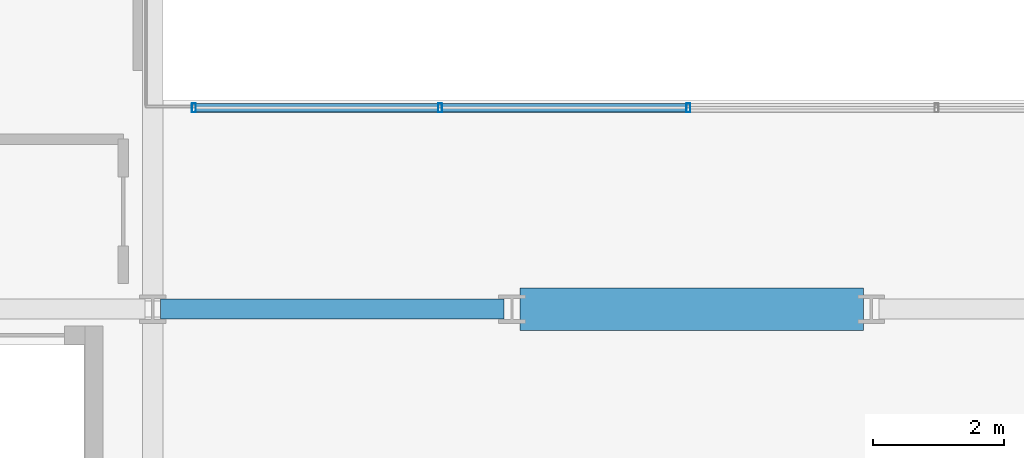
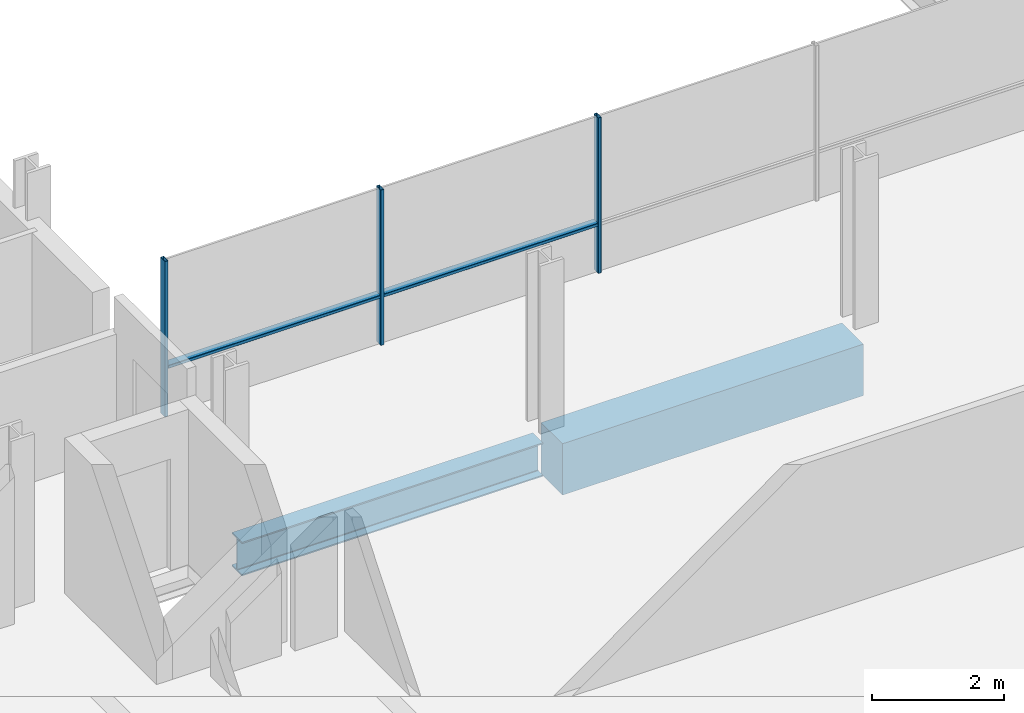
# One storey, part 4 of 38: 5 members, 2 beams, 1 element without a shape of its own.
"""IFC4 building model written with IfcOpenShell, lengths in metres."""

from ifc_helpers import new_model, si_unit, direction, frame, origin, origin_2d, place, context, subcontext, project, spatial, rectangle, hollow_rectangle, i_section, extrude, material, layer, layer_set, material_profile, profile_set, type_object, element, aggregate, save


model = new_model("IFC4")

# Units and contexts
model_context = context("Model", 3, precision=1e-05, world=origin(), true_north=direction((0.0, 1.0)))
body_context = subcontext(model_context, "Body", "Model", "MODEL_VIEW")
ifc_project = project(units=[si_unit("LENGTHUNIT", "METRE"), si_unit("AREAUNIT", "SQUARE_METRE"), si_unit("VOLUMEUNIT", "CUBIC_METRE"), si_unit("PLANEANGLEUNIT", "RADIAN"), si_unit("MASSUNIT", "GRAM", prefix="KILO")], contexts=[model_context])

# Site, building, storey
site_placement = place(None, origin())
site = spatial("IfcSite", under=ifc_project, at=site_placement, CompositionType="ELEMENT")
building_placement = place(site_placement, origin())
building = spatial("IfcBuilding", under=site, at=building_placement, Name="Brevholm Reach", CompositionType="ELEMENT")
storey_placement = place(building_placement, frame((0.0, 0.0, 71.39990234375)))
storey = spatial("IfcBuildingStorey", under=building, at=storey_placement, Name="L20", CompositionType="ELEMENT", Elevation=71.39990234375)

# Beams
ifc_material_1 = material(Name="Concrete C60/75", Category="concrete")
ifc_material_profile_1 = material_profile(ifc_material_1, rectangle(XDim=0.64990234375, YDim=0.949951171875, at=origin_2d()), Name="RC 650x950")
ifc_profile_set_1 = profile_set([ifc_material_profile_1], Name="Concrete C60/75")
beam_type_1 = type_object("IfcBeamType", Name="BM-CB650", PredefinedType="LINTEL", material=ifc_profile_set_1)
beam_1_placement = place(storey_placement, frame((27.3701171875, 10.0, -0.704833984375), z_axis=(1.0, 0.0, 0.0), x_axis=(0.0, 1.0, 0.0)))
element("IfcBeam", 1, at=beam_1_placement, inside=storey, type_object=beam_type_1, Name="L20 CB-01 Framing Beam", PredefinedType="LINTEL", context=body_context, shape_type="SweptSolid", body=[
    extrude(rectangle(XDim=0.64990234375, YDim=0.949951171875, at=origin_2d()), origin(), (0.0, 0.0, 1.0), 5.259765625),
])
ifc_material_2 = material(Name="Structural Steel S355J2", Category="steel")
ifc_material_profile_2 = material_profile(ifc_material_2, i_section(OverallWidth=0.30712890625, OverallDepth=0.6201171875, WebThickness=0.01416015625, FlangeThickness=0.023681640625, FilletRadius=0.0166015625, at=origin_2d()), Name="UKB 610x305x179")
ifc_profile_set_2 = profile_set([ifc_material_profile_2], Name="Structural Steel S355J2")
beam_type_2 = type_object("IfcBeamType", Name="BM-UKB610H", PredefinedType="USERDEFINED", material=ifc_profile_set_2)
beam_2_placement = place(storey_placement, frame((21.8701171875, 10.0, -0.5400390625), z_axis=(1.0, 0.0, 0.0), x_axis=(0.0, 1.0, 0.0)))
element("IfcBeam", 2, at=beam_2_placement, inside=storey, type_object=beam_type_2, Name="L20 G-06 Framing Beam", ObjectType="GIRDER", PredefinedType="USERDEFINED", context=body_context, shape_type="SweptSolid", body=[
    extrude(i_section(OverallWidth=0.30712890625, OverallDepth=0.6201171875, WebThickness=0.01416015625, FlangeThickness=0.023681640625, FilletRadius=0.0166015625, at=origin_2d()), origin(), (0.0, 0.0, 1.0), 5.259765625),
])

# Curtain wall, members
ifc_material_3 = material(Name="Dark Anodised Aluminium 6063-T6 and Solar-Control Glass", Category="aluminium")
ifc_layer = layer(ifc_material_3, 0.139892578125)
ifc_layer_set = layer_set([ifc_layer], Name="Dark Anodised Aluminium 6063-T6 and Solar-Control Glass")
curtain_wall_type = type_object("IfcCurtainWallType", Name="CW-02", PredefinedType="NOTDEFINED", material=ifc_layer_set)
curtain_wall_placement = place(storey_placement, origin())
curtain_wall = element("IfcCurtainWall", 3, at=curtain_wall_placement, inside=storey, type_object=curtain_wall_type, Name="L20 Curtain Wall CW-02", PredefinedType="NOTDEFINED")
ifc_material_4 = material(Name="Dark Anodised Aluminium 6063-T6", Category="aluminium")
ifc_material_profile_3 = material_profile(ifc_material_4, hollow_rectangle(XDim=0.06005859375, YDim=0.139892578125, WallThickness=0.0048828125, InnerFilletRadius=0.0048828125, OuterFilletRadius=0.010009765625, at=origin_2d()), Name="RHS 140x60x5")
ifc_profile_set_3 = profile_set([ifc_material_profile_3], Name="Dark Anodised Aluminium 6063-T6")
member_type_1 = type_object("IfcMemberType", Name="CWM-140", PredefinedType="MULLION", material=ifc_profile_set_3)
member_1_placement = place(storey_placement, frame((22.3798828125, 13.080078125, 0.0), z_axis=(0.0, 0.0, 1.0), x_axis=(1.0, 0.0, 0.0)))
member_1 = element("IfcMember", 4, at=member_1_placement, type_object=member_type_1, Name="CM-140 Mullion 1", PredefinedType="MULLION", context=body_context, shape_type="SweptSolid", body=[
    extrude(hollow_rectangle(XDim=0.06005859375, YDim=0.139892578125, WallThickness=0.0048828125, InnerFilletRadius=0.0048828125, OuterFilletRadius=0.010009765625, at=origin_2d()), origin(), (0.0, 0.0, 1.0), 2.8701171875),
])
member_2_placement = place(storey_placement, frame((26.14990234375, 13.080078125, 0.0), z_axis=(0.0, 0.0, 1.0), x_axis=(1.0, 0.0, 0.0)))
member_2 = element("IfcMember", 5, at=member_2_placement, type_object=member_type_1, Name="CM-140 Mullion 2", PredefinedType="MULLION", context=body_context, shape_type="SweptSolid", body=[
    extrude(hollow_rectangle(XDim=0.06005859375, YDim=0.139892578125, WallThickness=0.0048828125, InnerFilletRadius=0.0048828125, OuterFilletRadius=0.010009765625, at=origin_2d()), origin(), (0.0, 0.0, 1.0), 2.8701171875),
])
member_3_placement = place(storey_placement, frame((29.949951171875, 13.080078125, 0.0), z_axis=(0.0, 0.0, 1.0), x_axis=(1.0, 0.0, 0.0)))
member_3 = element("IfcMember", 6, at=member_3_placement, type_object=member_type_1, Name="CM-140 Mullion 3", PredefinedType="MULLION", context=body_context, shape_type="SweptSolid", body=[
    extrude(hollow_rectangle(XDim=0.06005859375, YDim=0.139892578125, WallThickness=0.0048828125, InnerFilletRadius=0.0048828125, OuterFilletRadius=0.010009765625, at=origin_2d()), origin(), (0.0, 0.0, 1.0), 2.8701171875),
])
ifc_material_5 = material(Name="Dark Anodised Aluminium 6063-T6", Category="aluminium")
ifc_material_profile_4 = material_profile(ifc_material_5, hollow_rectangle(XDim=0.06005859375, YDim=0.139892578125, WallThickness=0.0048828125, InnerFilletRadius=0.0048828125, OuterFilletRadius=0.010009765625, at=origin_2d()), Name="RHS 140x60x5")
ifc_profile_set_4 = profile_set([ifc_material_profile_4], Name="Dark Anodised Aluminium 6063-T6")
member_type_2 = type_object("IfcMemberType", Name="CWT-140", PredefinedType="NOTDEFINED", material=ifc_profile_set_4)
member_4_placement = place(storey_placement, frame((22.409912109375, 13.080078125, 0.900146484375), z_axis=(1.0, 0.0, 0.0), x_axis=(0.0, 0.0, 1.0)))
member_4 = element("IfcMember", 7, at=member_4_placement, type_object=member_type_2, Name="CT-140 Transom 1.1", ObjectType="TRANSOM", PredefinedType="USERDEFINED", context=body_context, shape_type="SweptSolid", body=[
    extrude(hollow_rectangle(XDim=0.06005859375, YDim=0.139892578125, WallThickness=0.0048828125, InnerFilletRadius=0.0048828125, OuterFilletRadius=0.010009765625, at=origin_2d()), origin(), (0.0, 0.0, 1.0), 3.710205078125),
])
member_5_placement = place(storey_placement, frame((26.179931640625, 13.080078125, 0.900146484375), z_axis=(1.0, 0.0, 0.0), x_axis=(0.0, 0.0, 1.0)))
member_5 = element("IfcMember", 8, at=member_5_placement, type_object=member_type_2, Name="CT-140 Transom 2.1", ObjectType="TRANSOM", PredefinedType="USERDEFINED", context=body_context, shape_type="SweptSolid", body=[
    extrude(hollow_rectangle(XDim=0.06005859375, YDim=0.139892578125, WallThickness=0.0048828125, InnerFilletRadius=0.0048828125, OuterFilletRadius=0.010009765625, at=origin_2d()), origin(), (0.0, 0.0, 1.0), 3.739990234375),
])
aggregate(curtain_wall, [member_1, member_2, member_3, member_4, member_5])

save(model, "model.ifc")
